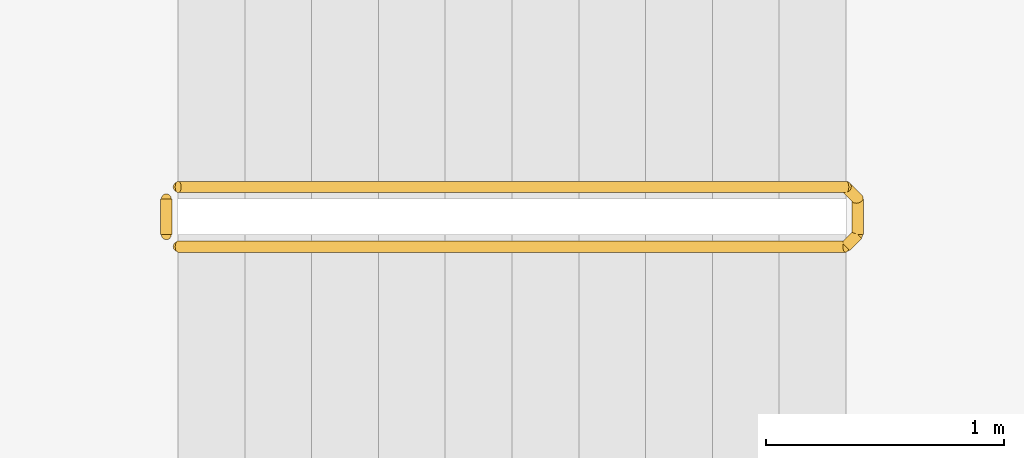
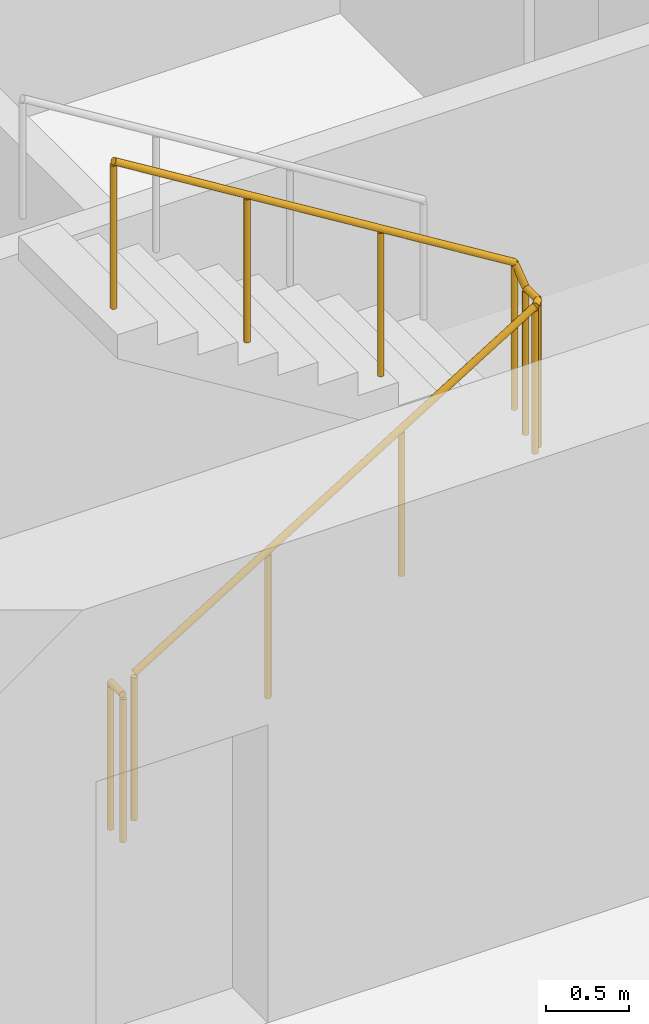
# One storey, part 9 of 13: 2 railings.
"""IFC4 building model written with IfcOpenShell, lengths in metres."""

from ifc_helpers import new_model, si_unit, direction, frame, origin, origin_2d, place, context, subcontext, project, spatial, circle, extrude, material, type_object, element, save


model = new_model("IFC4")

# Units and contexts
model_context = context("Model", 3, precision=1e-05, world=origin(), true_north=direction((0.0, 1.0)))
body_context = subcontext(model_context, "Body", "Model", "MODEL_VIEW")
ifc_project = project(units=[si_unit("LENGTHUNIT", "METRE"), si_unit("AREAUNIT", "SQUARE_METRE"), si_unit("VOLUMEUNIT", "CUBIC_METRE"), si_unit("PLANEANGLEUNIT", "RADIAN"), si_unit("MASSUNIT", "GRAM", prefix="KILO")], contexts=[model_context])

# Site, building, storey
site_placement = place(None, origin())
site = spatial("IfcSite", under=ifc_project, at=site_placement, CompositionType="ELEMENT")
building_placement = place(site_placement, origin())
building = spatial("IfcBuilding", under=site, at=building_placement, Name="Orbiselva Terraces", CompositionType="ELEMENT")
storey_placement = place(building_placement, frame((0.0, 0.0, 53.0)))
storey = spatial("IfcBuildingStorey", under=building, at=storey_placement, Name="L13", CompositionType="ELEMENT", Elevation=53.0)

# Railings
ifc_material = material(Name="Stainless steel", Category="steel")
railing_type = type_object("IfcRailingType", Name="CORE-GUARD-1100", PredefinedType="GUARDRAIL", material=ifc_material)
railing_1_placement = place(storey_placement, frame((-7.15, 6.55, 0.172727)))
element("IfcRailing", 1, at=railing_1_placement, inside=storey, type_object=railing_type, Name="L13 S3 stair guard 1", PredefinedType="GUARDRAIL", context=body_context, shape_type="SweptSolid", body=[
    extrude(circle(Radius=0.024, at=origin_2d()), frame((0.0, 0.0, 1.081), z_axis=(0.851088519012, 0.0, 0.52502222125), x_axis=(0.0, 1.0, 0.0)), (0.0, 0.0, 1.0), 3.289905),
    extrude(circle(Radius=0.024, at=origin_2d()), frame((2.8, 0.0, 2.808273), z_axis=(0.707106781187, 0.707106781187, 0.0), x_axis=(-0.707106781187, 0.707106781187, 0.0)), (0.0, 0.0, 1.0), 0.070711),
    extrude(circle(Radius=0.024, at=origin_2d()), frame((2.85, 0.05, 2.808273), z_axis=(0.0, 1.0, 0.0), x_axis=(-1.0, 0.0, 0.0)), (0.0, 0.0, 1.0), 0.15),
    extrude(circle(Radius=0.024, at=origin_2d()), frame((2.85, 0.2, 2.808273), z_axis=(-0.267894925557, 0.267894925557, 0.925453736133), x_axis=(-0.707106781187, -0.707106781187, 0.0)), (0.0, 0.0, 1.0), 0.18664),
    extrude(circle(Radius=0.024, at=origin_2d()), frame((2.8, 0.25, 2.981), z_axis=(-0.851088519012, 0.0, 0.52502222125), x_axis=(0.0, -1.0, 0.0)), (0.0, 0.0, 1.0), 3.289905),
    extrude(circle(Radius=0.021, at=origin_2d()), origin(), (0.0, 0.0, 1.0), 1.057),
    extrude(circle(Radius=0.021, at=origin_2d()), frame((0.933333, 0.0, 0.575758)), (0.0, 0.0, 1.0), 1.057),
    extrude(circle(Radius=0.021, at=origin_2d()), frame((1.866667, 0.0, 1.151515)), (0.0, 0.0, 1.0), 1.057),
    extrude(circle(Radius=0.021, at=origin_2d()), frame((2.8, 0.0, 1.727273)), (0.0, 0.0, 1.0), 1.057),
    extrude(circle(Radius=0.021, at=origin_2d()), frame((2.85, 0.05, 1.727273)), (0.0, 0.0, 1.0), 1.057),
    extrude(circle(Radius=0.021, at=origin_2d()), frame((2.85, 0.2, 1.727273)), (0.0, 0.0, 1.0), 1.057),
    extrude(circle(Radius=0.021, at=origin_2d()), frame((2.8, 0.25, 1.9)), (0.0, 0.0, 1.0), 1.057),
    extrude(circle(Radius=0.021, at=origin_2d()), frame((1.866667, 0.25, 2.475758)), (0.0, 0.0, 1.0), 1.057),
    extrude(circle(Radius=0.021, at=origin_2d()), frame((0.933333, 0.25, 3.051515)), (0.0, 0.0, 1.0), 1.057),
    extrude(circle(Radius=0.021, at=origin_2d()), frame((0.0, 0.25, 3.627273)), (0.0, 0.0, 1.0), 1.057),
])
railing_2_placement = place(storey_placement, frame((-7.2, 6.6, 0.0)))
element("IfcRailing", 2, at=railing_2_placement, inside=storey, type_object=railing_type, Name="L13 S3 stair guard 2", PredefinedType="GUARDRAIL", context=body_context, shape_type="SweptSolid", body=[
    extrude(circle(Radius=0.024, at=origin_2d()), frame((0.0, 0.0, 1.081), z_axis=(0.0, 1.0, 0.0), x_axis=(-1.0, 0.0, 0.0)), (0.0, 0.0, 1.0), 0.15),
    extrude(circle(Radius=0.021, at=origin_2d()), origin(), (0.0, 0.0, 1.0), 1.057),
    extrude(circle(Radius=0.021, at=origin_2d()), frame((0.0, 0.15, 0.0)), (0.0, 0.0, 1.0), 1.057),
])

save(model, "model.ifc")
